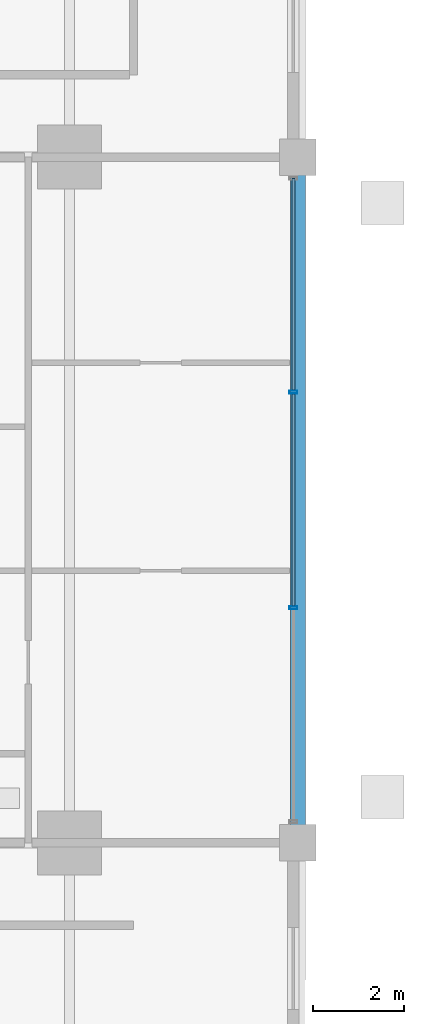
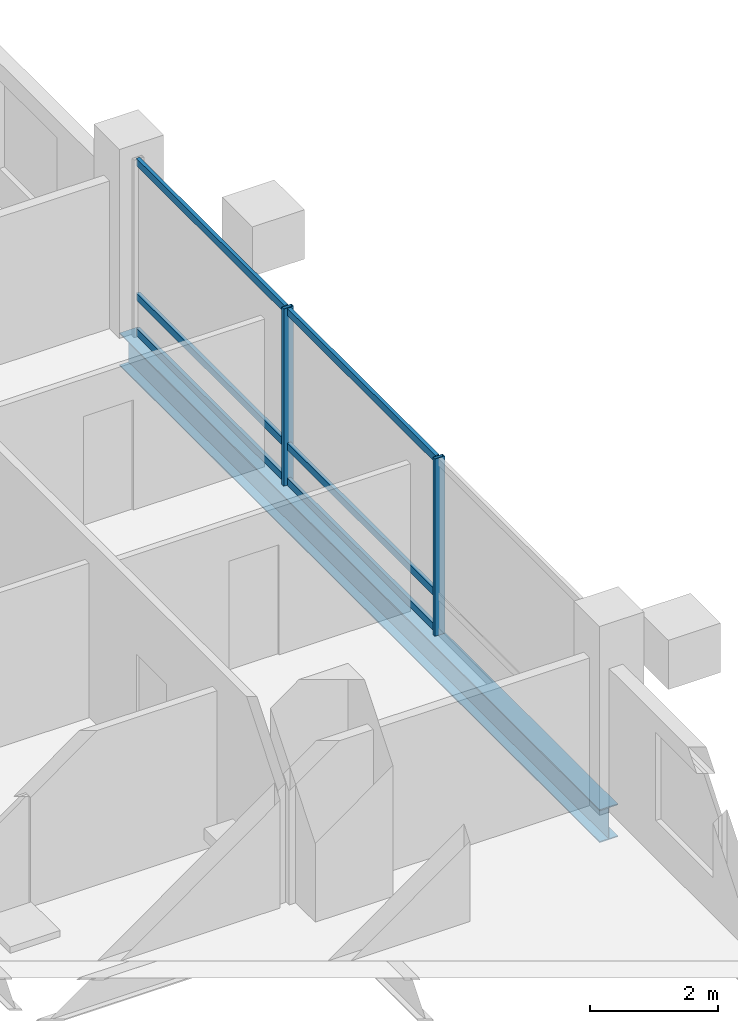
# One storey, part 10 of 23: 8 members, 1 beam, 1 element without a shape of its own.
"""IFC4 building model written with IfcOpenShell, lengths in metres."""

from ifc_helpers import new_model, si_unit, direction, frame, origin, origin_2d, place, context, subcontext, project, spatial, hollow_rectangle, i_section, extrude, material, layer, layer_set, material_profile, profile_set, type_object, element, aggregate, save


model = new_model("IFC4")

# Units and contexts
model_context = context("Model", 3, precision=1e-05, world=origin(), true_north=direction((0.0, 1.0)))
body_context = subcontext(model_context, "Body", "Model", "MODEL_VIEW")
ifc_project = project(units=[si_unit("LENGTHUNIT", "METRE"), si_unit("AREAUNIT", "SQUARE_METRE"), si_unit("VOLUMEUNIT", "CUBIC_METRE"), si_unit("PLANEANGLEUNIT", "RADIAN"), si_unit("MASSUNIT", "GRAM", prefix="KILO")], contexts=[model_context])

# Site, building, storey
site_placement = place(None, origin())
site = spatial("IfcSite", under=ifc_project, at=site_placement, CompositionType="ELEMENT")
building_placement = place(site_placement, origin())
building = spatial("IfcBuilding", under=site, at=building_placement, Name="Barlavira Tower and Art Museum", CompositionType="ELEMENT")
storey_placement = place(building_placement, frame((0.0, 0.0, 64.800048828125)))
storey = spatial("IfcBuildingStorey", under=building, at=storey_placement, Name="L15", CompositionType="ELEMENT", Elevation=64.800048828125)

# Curtain wall, members
ifc_material_1 = material(Name="Low-iron coastal laminated glass", Category="glass")
ifc_layer = layer(ifc_material_1, 0.179931640625, Name="Low-iron coastal laminated glass")
ifc_layer_set = layer_set([ifc_layer], Name="Low-iron coastal laminated glass")
curtain_wall_type = type_object("IfcCurtainWallType", Name="Pale-Metal Unitised Curtain Wall Zone 1", PredefinedType="NOTDEFINED", material=ifc_layer_set)
curtain_wall_placement = place(storey_placement, origin())
curtain_wall = element("IfcCurtainWall", 1, at=curtain_wall_placement, inside=storey, type_object=curtain_wall_type, Name="L15 Curtain Wall CW1-L15-E-B3", PredefinedType="NOTDEFINED")
ifc_material_2 = material(Name="Pale anodised aluminium", Category="aluminium")
ifc_material_profile_1 = material_profile(ifc_material_2, hollow_rectangle(XDim=0.06494140625, YDim=0.179931640625, WallThickness=0.00390625, at=origin_2d()), Name="ALU-MULL 65x180x4")
ifc_profile_set_1 = profile_set([ifc_material_profile_1], Name="Pale anodised aluminium")
member_type_1 = type_object("IfcMemberType", Name="Curtain Wall Pale-Metal Mullion 65x180", PredefinedType="MULLION", material=ifc_profile_set_1)
member_1_placement = place(storey_placement, frame((21.89990234375, -2.360107421875, 0.0), z_axis=(0.0, 0.0, 1.0), x_axis=(0.0, 1.0, 0.0)))
member_1 = element("IfcMember", 2, at=member_1_placement, type_object=member_type_1, Name="CW1-L15-E-B3 Mullion 1", PredefinedType="MULLION", context=body_context, shape_type="SweptSolid", body=[
    extrude(hollow_rectangle(XDim=0.06494140625, YDim=0.179931640625, WallThickness=0.00390625, at=origin_2d()), origin(), (0.0, 0.0, 1.0), 3.3798828125),
])
member_2_placement = place(storey_placement, frame((21.89990234375, 2.360107421875, 0.0), z_axis=(0.0, 0.0, 1.0), x_axis=(0.0, 1.0, 0.0)))
member_2 = element("IfcMember", 3, at=member_2_placement, type_object=member_type_1, Name="CW1-L15-E-B3 Mullion 2", PredefinedType="MULLION", context=body_context, shape_type="SweptSolid", body=[
    extrude(hollow_rectangle(XDim=0.06494140625, YDim=0.179931640625, WallThickness=0.00390625, at=origin_2d()), origin(), (0.0, 0.0, 1.0), 3.3798828125),
])
ifc_material_profile_2 = material_profile(ifc_material_2, hollow_rectangle(XDim=0.06494140625, YDim=0.139892578125, WallThickness=0.00390625, at=origin_2d()), Name="ALU-TRAN 65x140x4")
ifc_profile_set_2 = profile_set([ifc_material_profile_2], Name="Pale anodised aluminium")
member_type_2 = type_object("IfcMemberType", Name="Curtain Wall Pale-Metal Transom 65x140", PredefinedType="USERDEFINED", material=ifc_profile_set_2)
member_3_placement = place(storey_placement, frame((21.89990234375, -2.31494140625, 0.070068359375), z_axis=(0.0, 1.0, 0.0), x_axis=(-1.0, 0.0, 0.0)))
member_3 = element("IfcMember", 4, at=member_3_placement, type_object=member_type_2, Name="CW1-L15-E-B3 Transom 1.1", ObjectType="TRANSOM", PredefinedType="USERDEFINED", context=body_context, shape_type="SweptSolid", body=[
    extrude(hollow_rectangle(XDim=0.06494140625, YDim=0.139892578125, WallThickness=0.00390625, at=origin_2d()), origin(), (0.0, 0.0, 1.0), 4.6298828125),
])
member_4_placement = place(storey_placement, frame((21.89990234375, -2.31494140625, 0.743896484375), z_axis=(0.0, 1.0, 0.0), x_axis=(-1.0, 0.0, 0.0)))
member_4 = element("IfcMember", 5, at=member_4_placement, type_object=member_type_2, Name="CW1-L15-E-B3 Transom 1.2", ObjectType="TRANSOM", PredefinedType="USERDEFINED", context=body_context, shape_type="SweptSolid", body=[
    extrude(hollow_rectangle(XDim=0.06494140625, YDim=0.139892578125, WallThickness=0.00390625, at=origin_2d()), origin(), (0.0, 0.0, 1.0), 4.6298828125),
])
member_5_placement = place(storey_placement, frame((21.89990234375, -2.31494140625, 3.31005859375), z_axis=(0.0, 1.0, 0.0), x_axis=(-1.0, 0.0, 0.0)))
member_5 = element("IfcMember", 6, at=member_5_placement, type_object=member_type_2, Name="CW1-L15-E-B3 Transom 1.3", ObjectType="TRANSOM", PredefinedType="USERDEFINED", context=body_context, shape_type="SweptSolid", body=[
    extrude(hollow_rectangle(XDim=0.06494140625, YDim=0.139892578125, WallThickness=0.00390625, at=origin_2d()), origin(), (0.0, 0.0, 1.0), 4.6298828125),
])
member_6_placement = place(storey_placement, frame((21.89990234375, 2.405029296875, 0.070068359375), z_axis=(0.0, 1.0, 0.0), x_axis=(-1.0, 0.0, 0.0)))
member_6 = element("IfcMember", 7, at=member_6_placement, type_object=member_type_2, Name="CW1-L15-E-B3 Transom 2.1", ObjectType="TRANSOM", PredefinedType="USERDEFINED", context=body_context, shape_type="SweptSolid", body=[
    extrude(hollow_rectangle(XDim=0.06494140625, YDim=0.139892578125, WallThickness=0.00390625, at=origin_2d()), origin(), (0.0, 0.0, 1.0), 4.6298828125),
])
member_7_placement = place(storey_placement, frame((21.89990234375, 2.405029296875, 0.743896484375), z_axis=(0.0, 1.0, 0.0), x_axis=(-1.0, 0.0, 0.0)))
member_7 = element("IfcMember", 8, at=member_7_placement, type_object=member_type_2, Name="CW1-L15-E-B3 Transom 2.2", ObjectType="TRANSOM", PredefinedType="USERDEFINED", context=body_context, shape_type="SweptSolid", body=[
    extrude(hollow_rectangle(XDim=0.06494140625, YDim=0.139892578125, WallThickness=0.00390625, at=origin_2d()), origin(), (0.0, 0.0, 1.0), 4.6298828125),
])
member_8_placement = place(storey_placement, frame((21.89990234375, 2.405029296875, 3.31005859375), z_axis=(0.0, 1.0, 0.0), x_axis=(-1.0, 0.0, 0.0)))
member_8 = element("IfcMember", 9, at=member_8_placement, type_object=member_type_2, Name="CW1-L15-E-B3 Transom 2.3", ObjectType="TRANSOM", PredefinedType="USERDEFINED", context=body_context, shape_type="SweptSolid", body=[
    extrude(hollow_rectangle(XDim=0.06494140625, YDim=0.139892578125, WallThickness=0.00390625, at=origin_2d()), origin(), (0.0, 0.0, 1.0), 4.6298828125),
])
aggregate(curtain_wall, [member_1, member_2, member_3, member_4, member_5, member_6, member_7, member_8])

# Beam
ifc_material_3 = material(Name="Steel S355", Category="steel")
ifc_material_profile_3 = material_profile(ifc_material_3, i_section(OverallWidth=0.327880859375, OverallDepth=0.62890625, WebThickness=0.013916015625, FlangeThickness=0.021484375, at=origin_2d()), Name="W610x174.0")
ifc_profile_set_3 = profile_set([ifc_material_profile_3], Name="Steel S355")
beam_type = type_object("IfcBeamType", Name="Perimeter Spandrel Edge Beam W610x174 Steel S355", PredefinedType="SPANDREL", material=ifc_profile_set_3)
beam_placement = place(storey_placement, frame((22.0, -7.5, -0.53466796875), z_axis=(0.0, 1.0, 0.0), x_axis=(-1.0, 0.0, 0.0)))
element("IfcBeam", 10, at=beam_placement, inside=storey, type_object=beam_type, Name="L15 Spandrel 6", PredefinedType="SPANDREL", context=body_context, shape_type="SweptSolid", body=[
    extrude(i_section(OverallWidth=0.327880859375, OverallDepth=0.62890625, WebThickness=0.013916015625, FlangeThickness=0.021484375, at=origin_2d()), origin(), (0.0, 0.0, 1.0), 15.0),
])

save(model, "model.ifc")
